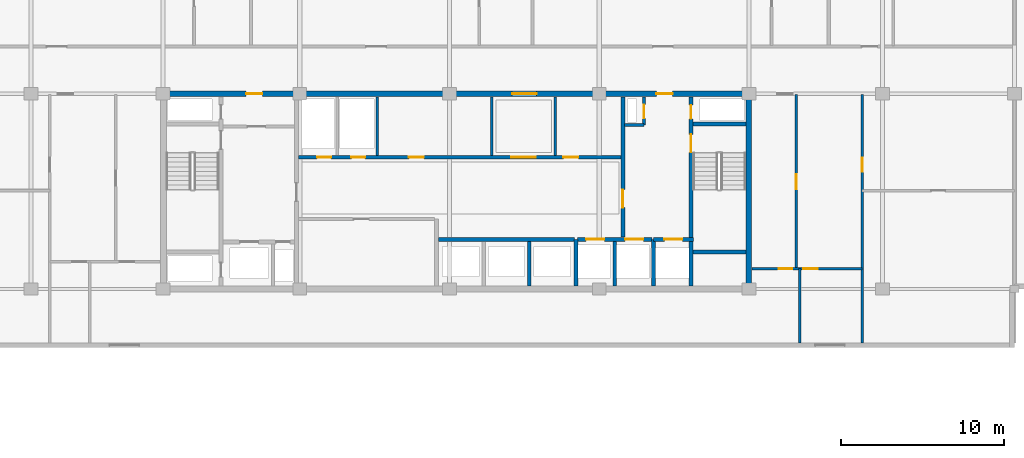
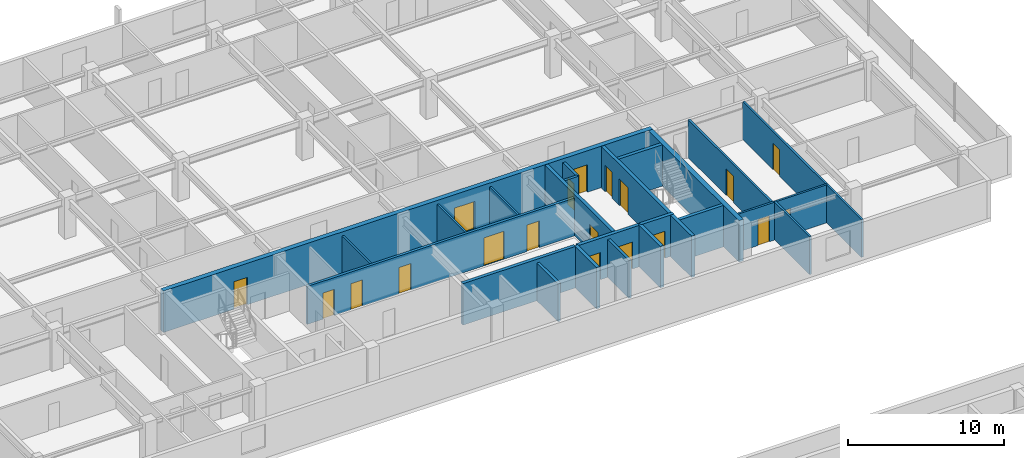
# One storey, part 23 of 32: 23 walls, 19 doors, 19 openings.
"""IFC4 building model written with IfcOpenShell, lengths in metres."""

from ifc_helpers import new_model, si_unit, direction, frame, frame_2d, origin, place, context, subcontext, project, spatial, rectangle, extrude, material, layer, layer_set, type_object, element, fill, save


model = new_model("IFC4")

# Units and contexts
model_context = context("Model", 3, precision=1e-05, world=origin(), true_north=direction((0.0, 1.0)))
body_context = subcontext(model_context, "Body", "Model", "MODEL_VIEW")
ifc_project = project(units=[si_unit("LENGTHUNIT", "METRE"), si_unit("AREAUNIT", "SQUARE_METRE"), si_unit("VOLUMEUNIT", "CUBIC_METRE"), si_unit("PLANEANGLEUNIT", "RADIAN"), si_unit("MASSUNIT", "GRAM", prefix="KILO")], contexts=[model_context])

# Site, building, storey
site_placement = place(None, origin())
site = spatial("IfcSite", under=ifc_project, at=site_placement, CompositionType="ELEMENT")
building_placement = place(site_placement, origin())
building = spatial("IfcBuilding", under=site, at=building_placement, Name="Korimba Cascade Residences", CompositionType="ELEMENT")
storey_placement = place(building_placement, frame((0.0, 0.0, 178.35009765625)))
storey = spatial("IfcBuildingStorey", under=building, at=storey_placement, Name="L51", CompositionType="ELEMENT", Elevation=178.35009765625)

# Wall
ifc_material_1 = material(Name="Concrete C65/80", Category="concrete")
ifc_layer_1 = layer(ifc_material_1, 0.35009765625)
ifc_layer_set_1 = layer_set([ifc_layer_1], Name="Concrete C65/80")
wall_type_1 = type_object("IfcWallType", Name="WAL-CORE-350", PredefinedType="SHEAR", material=ifc_layer_set_1)
wall_1_placement = place(storey_placement, frame((112.074951171875, 55.375, 0.0), z_axis=(0.0, 0.0, 1.0), x_axis=(0.0, 1.0, 0.0)))
element("IfcWall", 1, at=wall_1_placement, inside=storey, type_object=wall_type_1, Name="L51 Core Shear Wall CW-L51-T1-E", PredefinedType="SHEAR", context=body_context, shape_type="SweptSolid", body=[
    extrude(rectangle(XDim=11.64990234375, YDim=0.35009765625, at=frame_2d((5.824951171875, 0.0))), origin(), (0.0, 0.0, 1.0), 3.25),
])

# Wall, openings, doors
wall_2_placement = place(storey_placement, frame((75.949951171875, 67.199951171875, 0.0), z_axis=(0.0, 0.0, 1.0), x_axis=(1.0, 0.0, 0.0)))
wall_2 = element("IfcWall", 2, at=wall_2_placement, inside=storey, type_object=wall_type_1, Name="L51 Core Shear Wall CW-L51-T1-N", PredefinedType="SHEAR", context=body_context, shape_type="SweptSolid", body=[
    extrude(rectangle(XDim=36.300048828125, YDim=0.35009765625, at=frame_2d((18.14990234375, 0.0))), origin(), (0.0, 0.0, 1.0), 3.25),
])
opening_1_placement = place(wall_2_placement, frame((5.25, 0.0, 0.0)))
opening_1 = element("IfcOpeningElement", 3, at=opening_1_placement, cuts=wall_2, Name="Opening D-FD5", PredefinedType="OPENING", context=body_context, shape_type="SweptSolid", body=[
    extrude(rectangle(XDim=1.0, YDim=2.14990234375, at=frame_2d((0.5, 1.074951171875))), frame((0.0, 0.18505859375, 0.0), z_axis=(0.0, -1.0, 0.0), x_axis=(1.0, 0.0, 0.0)), (0.0, 0.0, 1.0), 0.3701171875),
])
opening_2_placement = place(wall_2_placement, frame((21.60009765625, 0.0, 0.0)))
opening_2 = element("IfcOpeningElement", 4, at=opening_2_placement, cuts=wall_2, Name="Opening D-FD8", PredefinedType="OPENING", context=body_context, shape_type="SweptSolid", body=[
    extrude(rectangle(XDim=1.5, YDim=2.199951171875, at=frame_2d((0.75, 1.10009765625))), frame((0.0, 0.18505859375, 0.0), z_axis=(0.0, -1.0, 0.0), x_axis=(1.0, 0.0, 0.0)), (0.0, 0.0, 1.0), 0.3701171875),
])
opening_3_placement = place(wall_2_placement, frame((30.449951171875, 0.0, 0.0)))
opening_3 = element("IfcOpeningElement", 5, at=opening_3_placement, cuts=wall_2, Name="Opening D-FD5", PredefinedType="OPENING", context=body_context, shape_type="SweptSolid", body=[
    extrude(rectangle(XDim=1.0, YDim=2.14990234375, at=frame_2d((0.5, 1.074951171875))), frame((0.0, 0.18505859375, 0.0), z_axis=(0.0, -1.0, 0.0), x_axis=(1.0, 0.0, 0.0)), (0.0, 0.0, 1.0), 0.3701171875),
])
ifc_material_2 = material(Name="Fire-Rated Acoustic Timber Vestibule Door", Category="wood")
door_type_1 = type_object("IfcDoorType", Name="DR-FD90-1000", OperationType="NOTDEFINED", PredefinedType="DOOR", material=ifc_material_2)
door_1_placement = place(opening_1_placement, origin())
door_1 = element("IfcDoor", 6, at=door_1_placement, inside=storey, type_object=door_type_1, Name="L51 T1 West Core Vestibule Fire Door", OperationType="SINGLE_SWING_RIGHT", OverallHeight=2.14990234375, OverallWidth=1.0, PredefinedType="DOOR", context=body_context, shape_type="SweptSolid", body=[
    extrude(rectangle(XDim=1.0, YDim=2.14990234375, at=frame_2d((0.5, 1.074951171875))), frame((0.0, 0.02490234375, 0.0), z_axis=(0.0, -1.0, 0.0), x_axis=(1.0, 0.0, 0.0)), (0.0, 0.0, 1.0), 0.050048828125),
])
fill(opening_1, door_1)
door_2_placement = place(opening_3_placement, origin())
door_2 = element("IfcDoor", 7, at=door_2_placement, inside=storey, type_object=door_type_1, Name="L51 T1 East Firefighting Vestibule Fire Door", OperationType="SINGLE_SWING_LEFT", OverallHeight=2.14990234375, OverallWidth=1.0, PredefinedType="DOOR", context=body_context, shape_type="SweptSolid", body=[
    extrude(rectangle(XDim=1.0, YDim=2.14990234375, at=frame_2d((0.5, 1.074951171875))), frame((0.0, 0.02490234375, 0.0), z_axis=(0.0, -1.0, 0.0), x_axis=(1.0, 0.0, 0.0)), (0.0, 0.0, 1.0), 0.050048828125),
])
fill(opening_3, door_2)
ifc_material_3 = material(Name="Fire-Rated Glazed Lift Lobby Double Door", Category="glass")
door_type_2 = type_object("IfcDoorType", Name="DR-FD90-1500", OperationType="NOTDEFINED", PredefinedType="DOOR", material=ifc_material_3)
door_3_placement = place(opening_2_placement, origin())
door_3 = element("IfcDoor", 8, at=door_3_placement, inside=storey, type_object=door_type_2, Name="L51 T1 Lift Lobby Fire Door", OperationType="DOUBLE_DOOR_SINGLE_SWING", OverallHeight=2.199951171875, OverallWidth=1.5, PredefinedType="DOOR", context=body_context, shape_type="SweptSolid", body=[
    extrude(rectangle(XDim=1.5, YDim=2.199951171875, at=frame_2d((0.75, 1.10009765625))), frame((0.0, 0.02490234375, 0.0), z_axis=(0.0, -1.0, 0.0), x_axis=(1.0, 0.0, 0.0)), (0.0, 0.0, 1.0), 0.050048828125),
])
fill(opening_2, door_3)

# Walls
ifc_material_4 = material(Name="Insulated Acoustic Stud Partition", Category="gypsum")
ifc_layer_2 = layer(ifc_material_4, 0.14990234375)
ifc_layer_set_2 = layer_set([ifc_layer_2], Name="Insulated Acoustic Stud Partition")
wall_type_2 = type_object("IfcWallType", Name="WAL-PART-150", PredefinedType="PARTITIONING", material=ifc_layer_set_2)
for number, where, z_axis, x_axis, name in (
    (9, (89.25, 63.39990234375, 0.0), (0.0, 0.0, 1.0), (0.0, 1.0, 0.0), "L51 Partition Wall CW-L51-T1-PRDIV"),
    (10, (96.300048828125, 63.39990234375, 0.0), (0.0, 0.0, 1.0), (0.0, 1.0, 0.0), "L51 Partition Wall CW-L51-T1-THW"),
    (11, (100.199951171875, 63.39990234375, 0.0), (0.0, 0.0, 1.0), (0.0, 1.0, 0.0), "L51 Partition Wall CW-L51-T1-THE"),
):
    element("IfcWall", number, at=place(storey_placement, frame(where, z_axis=z_axis, x_axis=x_axis)), inside=storey, type_object=wall_type_2, Name=name, PredefinedType="PARTITIONING", context=body_context, shape_type="SweptSolid", body=[
        extrude(rectangle(XDim=3.60009765625, YDim=0.14990234375, at=frame_2d((1.800048828125, 0.0))), origin(), (0.0, 0.0, 1.0), 2.969970703125),
    ])

# Wall, opening, door
wall_3_placement = place(storey_placement, frame((119.050048828125, 51.89990234375, 0.0), z_axis=(0.0, 0.0, 1.0), x_axis=(0.0, 1.0, 0.0)))
wall_3 = element("IfcWall", 12, at=wall_3_placement, inside=storey, type_object=wall_type_2, Name="L51 Partition Wall WAL-L51-T1-FE-STV", PredefinedType="PARTITIONING", context=body_context, shape_type="SweptSolid", body=[
    extrude(rectangle(XDim=15.25, YDim=0.14990234375, at=frame_2d((7.625, 0.0))), origin(), (0.0, 0.0, 1.0), 2.969970703125),
])
opening_4_placement = place(wall_3_placement, frame((10.5, 0.0, 0.0)))
opening_4 = element("IfcOpeningElement", 13, at=opening_4_placement, cuts=wall_3, Name="Opening D-IN2", PredefinedType="OPENING", context=body_context, shape_type="SweptSolid", body=[
    extrude(rectangle(XDim=0.8798828125, YDim=2.06005859375, at=frame_2d((0.43994140625, 1.030029296875))), frame((0.0, 0.0849609375, 0.0), z_axis=(0.0, -1.0, 0.0), x_axis=(1.0, 0.0, 0.0)), (0.0, 0.0, 1.0), 0.169921875),
])
ifc_material_5 = material(Name="Acoustic Timber Bedroom Door", Category="wood")
door_type_3 = type_object("IfcDoorType", Name="DR-INT-880", OperationType="NOTDEFINED", PredefinedType="DOOR", material=ifc_material_5)
door_4_placement = place(opening_4_placement, origin())
door_4 = element("IfcDoor", 14, at=door_4_placement, inside=storey, type_object=door_type_3, Name="L51-T1-FE Study Door", OperationType="SINGLE_SWING_RIGHT", OverallHeight=2.06005859375, OverallWidth=0.8798828125, PredefinedType="DOOR", context=body_context, shape_type="SweptSolid", body=[
    extrude(rectangle(XDim=0.8798828125, YDim=2.06005859375, at=frame_2d((0.43994140625, 1.030029296875))), frame((0.0, 0.02490234375, 0.0), z_axis=(0.0, -1.0, 0.0), x_axis=(1.0, 0.0, 0.0)), (0.0, 0.0, 1.0), 0.050048828125),
])
fill(opening_4, door_4)

wall_4_placement = place(storey_placement, frame((115.0, 56.449951171875, 0.0), z_axis=(0.0, 0.0, 1.0), x_axis=(0.0, 1.0, 0.0)))
wall_4 = element("IfcWall", 15, at=wall_4_placement, inside=storey, type_object=wall_type_2, Name="L51 Partition Wall WAL-L51-T1-FE-VN", PredefinedType="PARTITIONING", context=body_context, shape_type="SweptSolid", body=[
    extrude(rectangle(XDim=10.699951171875, YDim=0.14990234375, at=frame_2d((5.35009765625, 0.0))), origin(), (0.0, 0.0, 1.0), 2.969970703125),
])
opening_5_placement = place(wall_4_placement, frame((4.889892578125, 0.0, 0.0)))
opening_5 = element("IfcOpeningElement", 16, at=opening_5_placement, cuts=wall_4, Name="Opening D-IN1", PredefinedType="OPENING", context=body_context, shape_type="SweptSolid", body=[
    extrude(rectangle(XDim=0.919921875, YDim=2.080078125, at=frame_2d((0.4599609375, 1.0400390625))), frame((0.0, 0.0849609375, 0.0), z_axis=(0.0, -1.0, 0.0), x_axis=(1.0, 0.0, 0.0)), (0.0, 0.0, 1.0), 0.169921875),
])
ifc_material_6 = material(Name="Acoustic Timber Living Door", Category="wood")
door_type_4 = type_object("IfcDoorType", Name="DR-INT-920", OperationType="NOTDEFINED", PredefinedType="DOOR", material=ifc_material_6)
door_5_placement = place(opening_5_placement, origin())
door_5 = element("IfcDoor", 17, at=door_5_placement, inside=storey, type_object=door_type_4, Name="L51-T1-FE Living Door", OperationType="SINGLE_SWING_LEFT", OverallHeight=2.080078125, OverallWidth=0.919921875, PredefinedType="DOOR", context=body_context, shape_type="SweptSolid", body=[
    extrude(rectangle(XDim=0.919921875, YDim=2.080078125, at=frame_2d((0.4599609375, 1.0400390625))), frame((0.0, 0.02490234375, 0.0), z_axis=(0.0, -1.0, 0.0), x_axis=(1.0, 0.0, 0.0)), (0.0, 0.0, 1.0), 0.050048828125),
])
fill(opening_5, door_5)

# Wall
wall_5_placement = place(storey_placement, frame((115.199951171875, 51.89990234375, 0.0), z_axis=(0.0, 0.0, 1.0), x_axis=(0.0, 1.0, 0.0)))
element("IfcWall", 18, at=wall_5_placement, inside=storey, type_object=wall_type_2, Name="L51 Partition Wall WAL-L51-T1-FE-VS", PredefinedType="PARTITIONING", context=body_context, shape_type="SweptSolid", body=[
    extrude(rectangle(XDim=4.550048828125, YDim=0.14990234375, at=frame_2d((2.27490234375, 0.0))), origin(), (0.0, 0.0, 1.0), 2.969970703125),
])

# Wall, openings, doors
wall_6_placement = place(storey_placement, frame((112.27001953125, 56.449951171875, 0.0), z_axis=(0.0, 0.0, 1.0), x_axis=(1.0, 0.0, 0.0)))
wall_6 = element("IfcWall", 19, at=wall_6_placement, inside=storey, type_object=wall_type_2, Name="L51 Partition Wall WAL-L51-T1-FE-H", PredefinedType="PARTITIONING", context=body_context, shape_type="SweptSolid", body=[
    extrude(rectangle(XDim=6.760009765625, YDim=0.14990234375, at=frame_2d((3.3798828125, 0.0))), origin(), (0.0, 0.0, 1.0), 2.969970703125),
])
opening_6_placement = place(wall_6_placement, frame((1.6396484375, 0.0, 0.0)))
opening_6 = element("IfcOpeningElement", 20, at=opening_6_placement, cuts=wall_6, Name="Opening D-BT1", PredefinedType="OPENING", context=body_context, shape_type="SweptSolid", body=[
    extrude(rectangle(XDim=0.840087890625, YDim=2.0400390625, at=frame_2d((0.419921875, 1.02001953125))), frame((0.0, 0.0849609375, 0.0), z_axis=(0.0, -1.0, 0.0), x_axis=(1.0, 0.0, 0.0)), (0.0, 0.0, 1.0), 0.169921875),
])
opening_7_placement = place(wall_6_placement, frame((3.160400390625, 0.0, 0.0)))
opening_7 = element("IfcOpeningElement", 21, at=opening_7_placement, cuts=wall_6, Name="Opening D-IN2", PredefinedType="OPENING", context=body_context, shape_type="SweptSolid", body=[
    extrude(rectangle(XDim=0.8798828125, YDim=2.06005859375, at=frame_2d((0.43994140625, 1.030029296875))), frame((0.0, 0.0849609375, 0.0), z_axis=(0.0, -1.0, 0.0), x_axis=(1.0, 0.0, 0.0)), (0.0, 0.0, 1.0), 0.169921875),
])
ifc_material_7 = material(Name="Moisture-Resistant Bathroom Timber Door", Category="wood")
door_type_5 = type_object("IfcDoorType", Name="DR-INT-850", OperationType="NOTDEFINED", PredefinedType="DOOR", material=ifc_material_7)
door_6_placement = place(opening_6_placement, origin())
door_6 = element("IfcDoor", 22, at=door_6_placement, inside=storey, type_object=door_type_5, Name="L51-T1-FE Bathroom Door", OperationType="SINGLE_SWING_RIGHT", OverallHeight=2.0400390625, OverallWidth=0.840087890625, PredefinedType="DOOR", context=body_context, shape_type="SweptSolid", body=[
    extrude(rectangle(XDim=0.840087890625, YDim=2.0400390625, at=frame_2d((0.419921875, 1.02001953125))), frame((0.0, 0.02490234375, 0.0), z_axis=(0.0, -1.0, 0.0), x_axis=(1.0, 0.0, 0.0)), (0.0, 0.0, 1.0), 0.050048828125),
])
fill(opening_6, door_6)
door_7_placement = place(opening_7_placement, origin())
door_7 = element("IfcDoor", 23, at=door_7_placement, inside=storey, type_object=door_type_3, Name="L51-T1-FE Bedroom Door", OperationType="SINGLE_SWING_LEFT", OverallHeight=2.06005859375, OverallWidth=0.8798828125, PredefinedType="DOOR", context=body_context, shape_type="SweptSolid", body=[
    extrude(rectangle(XDim=0.8798828125, YDim=2.06005859375, at=frame_2d((0.43994140625, 1.030029296875))), frame((0.0, 0.02490234375, 0.0), z_axis=(0.0, -1.0, 0.0), x_axis=(1.0, 0.0, 0.0)), (0.0, 0.0, 1.0), 0.050048828125),
])
fill(opening_7, door_7)

# Walls
ifc_material_8 = material(Name="Concrete C40/50", Category="concrete")
ifc_layer_3 = layer(ifc_material_8, 0.199951171875)
ifc_layer_set_3 = layer_set([ifc_layer_3], Name="Concrete C40/50")
wall_type_3 = type_object("IfcWallType", Name="WAL-PART-200", PredefinedType="PARTITIONING", material=ifc_layer_set_3)
for number, where, z_axis, x_axis, name in (
    (24, (98.60009765625, 55.39990234375, 0.0), (0.0, 0.0, 1.0), (0.0, 1.0, 0.0), "L51 Partition Wall CW-L51-T1-B2D2"),
    (25, (103.85009765625, 55.39990234375, 0.0), (0.0, 0.0, 1.0), (0.0, 1.0, 0.0), "L51 Partition Wall CW-L51-T1-B3D1"),
):
    element("IfcWall", number, at=place(storey_placement, frame(where, z_axis=z_axis, x_axis=x_axis)), inside=storey, type_object=wall_type_3, Name=name, PredefinedType="PARTITIONING", context=body_context, shape_type="SweptSolid", body=[
        extrude(rectangle(XDim=2.72021484375, YDim=0.199951171875, at=frame_2d((1.360107421875, 0.0))), origin(), (0.0, 0.0, 1.0), 2.969970703125),
    ])

# Wall, openings, doors
wall_7_placement = place(storey_placement, frame((84.419921875, 63.300048828125, 0.0), z_axis=(0.0, 0.0, 1.0), x_axis=(1.0, 0.0, 0.0)))
wall_7 = element("IfcWall", 26, at=wall_7_placement, inside=storey, type_object=wall_type_3, Name="L51 Partition Wall CW-L51-T1-SRVROW", PredefinedType="PARTITIONING", context=body_context, shape_type="SweptSolid", body=[
    extrude(rectangle(XDim=19.830078125, YDim=0.199951171875, at=frame_2d((9.9150390625, 0.0))), origin(), (0.0, 0.0, 1.0), 2.969970703125),
])
opening_8_placement = place(wall_7_placement, frame((1.14990234375, 0.0, 0.0)))
opening_8 = element("IfcOpeningElement", 27, at=opening_8_placement, cuts=wall_7, Name="Opening D-RS1", PredefinedType="OPENING", context=body_context, shape_type="SweptSolid", body=[
    extrude(rectangle(XDim=0.85009765625, YDim=2.050048828125, at=frame_2d((0.425048828125, 1.02490234375))), frame((0.0, 0.10986328125, 0.0), z_axis=(0.0, -1.0, 0.0), x_axis=(1.0, 0.0, 0.0)), (0.0, 0.0, 1.0), 0.219970703125),
])
opening_9_placement = place(wall_7_placement, frame((3.25, 0.0, 0.0)))
opening_9 = element("IfcOpeningElement", 28, at=opening_9_placement, cuts=wall_7, Name="Opening D-RS1", PredefinedType="OPENING", context=body_context, shape_type="SweptSolid", body=[
    extrude(rectangle(XDim=0.85009765625, YDim=2.050048828125, at=frame_2d((0.425048828125, 1.02490234375))), frame((0.0, 0.10986328125, 0.0), z_axis=(0.0, -1.0, 0.0), x_axis=(1.0, 0.0, 0.0)), (0.0, 0.0, 1.0), 0.219970703125),
])
opening_10_placement = place(wall_7_placement, frame((13.080078125, 0.0, 0.0)))
opening_10 = element("IfcOpeningElement", 29, at=opening_10_placement, cuts=wall_7, Name="Opening D-FD8", PredefinedType="OPENING", context=body_context, shape_type="SweptSolid", body=[
    extrude(rectangle(XDim=1.5, YDim=2.199951171875, at=frame_2d((0.75, 1.10009765625))), frame((0.0, 0.10986328125, 0.0), z_axis=(0.0, -1.0, 0.0), x_axis=(1.0, 0.0, 0.0)), (0.0, 0.0, 1.0), 0.219970703125),
])
opening_11_placement = place(wall_7_placement, frame((6.780029296875, 0.0, 0.0)))
opening_11 = element("IfcOpeningElement", 30, at=opening_11_placement, cuts=wall_7, Name="Opening D-IN1", PredefinedType="OPENING", context=body_context, shape_type="SweptSolid", body=[
    extrude(rectangle(XDim=0.919921875, YDim=2.080078125, at=frame_2d((0.4599609375, 1.0400390625))), frame((0.0, 0.10986328125, 0.0), z_axis=(0.0, -1.0, 0.0), x_axis=(1.0, 0.0, 0.0)), (0.0, 0.0, 1.0), 0.219970703125),
])
opening_12_placement = place(wall_7_placement, frame((16.280029296875, 0.0, 0.0)))
opening_12 = element("IfcOpeningElement", 31, at=opening_12_placement, cuts=wall_7, Name="Opening D-IN1", PredefinedType="OPENING", context=body_context, shape_type="SweptSolid", body=[
    extrude(rectangle(XDim=0.919921875, YDim=2.080078125, at=frame_2d((0.4599609375, 1.0400390625))), frame((0.0, 0.10986328125, 0.0), z_axis=(0.0, -1.0, 0.0), x_axis=(1.0, 0.0, 0.0)), (0.0, 0.0, 1.0), 0.219970703125),
])
ifc_material_9 = material(Name="Fire-Rated Steel Riser Access Door", Category="steel")
door_type_6 = type_object("IfcDoorType", Name="DR-FD60-850", OperationType="NOTDEFINED", PredefinedType="DOOR", material=ifc_material_9)
door_8_placement = place(opening_8_placement, origin())
door_8 = element("IfcDoor", 32, at=door_8_placement, inside=storey, type_object=door_type_6, Name="L51 Electrical Riser Door", OperationType="SINGLE_SWING_LEFT", OverallHeight=2.050048828125, OverallWidth=0.85009765625, PredefinedType="DOOR", context=body_context, shape_type="SweptSolid", body=[
    extrude(rectangle(XDim=0.85009765625, YDim=2.050048828125, at=frame_2d((0.425048828125, 1.02490234375))), frame((0.0, 0.02490234375, 0.0), z_axis=(0.0, -1.0, 0.0), x_axis=(1.0, 0.0, 0.0)), (0.0, 0.0, 1.0), 0.050048828125),
])
fill(opening_8, door_8)
door_9_placement = place(opening_9_placement, origin())
door_9 = element("IfcDoor", 33, at=door_9_placement, inside=storey, type_object=door_type_6, Name="L51 Plumbing Riser Door", OperationType="SINGLE_SWING_RIGHT", OverallHeight=2.050048828125, OverallWidth=0.85009765625, PredefinedType="DOOR", context=body_context, shape_type="SweptSolid", body=[
    extrude(rectangle(XDim=0.85009765625, YDim=2.050048828125, at=frame_2d((0.425048828125, 1.02490234375))), frame((0.0, 0.02490234375, 0.0), z_axis=(0.0, -1.0, 0.0), x_axis=(1.0, 0.0, 0.0)), (0.0, 0.0, 1.0), 0.050048828125),
])
fill(opening_9, door_9)
door_10_placement = place(opening_10_placement, origin())
door_10 = element("IfcDoor", 34, at=door_10_placement, inside=storey, type_object=door_type_2, Name="L51 Lift Lobby Foyer Archway Door", OperationType="DOUBLE_DOOR_SINGLE_SWING", OverallHeight=2.199951171875, OverallWidth=1.5, PredefinedType="DOOR", context=body_context, shape_type="SweptSolid", body=[
    extrude(rectangle(XDim=1.5, YDim=2.199951171875, at=frame_2d((0.75, 1.10009765625))), frame((0.0, 0.02490234375, 0.0), z_axis=(0.0, -1.0, 0.0), x_axis=(1.0, 0.0, 0.0)), (0.0, 0.0, 1.0), 0.050048828125),
])
fill(opening_10, door_10)
door_11_placement = place(opening_11_placement, origin())
door_11 = element("IfcDoor", 35, at=door_11_placement, inside=storey, type_object=door_type_4, Name="L51 Housekeeping Door", OperationType="SINGLE_SWING_LEFT", OverallHeight=2.080078125, OverallWidth=0.919921875, PredefinedType="DOOR", context=body_context, shape_type="SweptSolid", body=[
    extrude(rectangle(XDim=0.919921875, YDim=2.080078125, at=frame_2d((0.4599609375, 1.0400390625))), frame((0.0, 0.02490234375, 0.0), z_axis=(0.0, -1.0, 0.0), x_axis=(1.0, 0.0, 0.0)), (0.0, 0.0, 1.0), 0.050048828125),
])
fill(opening_11, door_11)
door_12_placement = place(opening_12_placement, origin())
door_12 = element("IfcDoor", 36, at=door_12_placement, inside=storey, type_object=door_type_4, Name="L51 Store Door", OperationType="SINGLE_SWING_RIGHT", OverallHeight=2.080078125, OverallWidth=0.919921875, PredefinedType="DOOR", context=body_context, shape_type="SweptSolid", body=[
    extrude(rectangle(XDim=0.919921875, YDim=2.080078125, at=frame_2d((0.4599609375, 1.0400390625))), frame((0.0, 0.02490234375, 0.0), z_axis=(0.0, -1.0, 0.0), x_axis=(1.0, 0.0, 0.0)), (0.0, 0.0, 1.0), 0.050048828125),
])
fill(opening_12, door_12)

# Wall
wall_8_placement = place(storey_placement, frame((104.449951171875, 65.280029296875, 0.0), z_axis=(0.0, 0.0, 1.0), x_axis=(1.0, 0.0, 0.0)))
element("IfcWall", 37, at=wall_8_placement, inside=storey, type_object=wall_type_3, Name="L51 Partition Wall CW-L51-T1-HYDW2S", PredefinedType="PARTITIONING", context=body_context, shape_type="SweptSolid", body=[
    extrude(rectangle(XDim=1.199951171875, YDim=0.199951171875, at=frame_2d((0.60009765625, 0.0))), origin(), (0.0, 0.0, 1.0), 2.969970703125),
])

# Wall, opening, door
wall_9_placement = place(storey_placement, frame((105.64990234375, 65.280029296875, 0.0), z_axis=(0.0, 0.0, 1.0), x_axis=(0.0, 1.0, 0.0)))
wall_9 = element("IfcWall", 38, at=wall_9_placement, inside=storey, type_object=wall_type_3, Name="L51 Partition Wall CW-L51-T1-HYDW2E", PredefinedType="PARTITIONING", context=body_context, shape_type="SweptSolid", body=[
    extrude(rectangle(XDim=1.719970703125, YDim=0.199951171875, at=frame_2d((0.85986328125, 0.0))), origin(), (0.0, 0.0, 1.0), 2.969970703125),
])
opening_13_placement = place(wall_9_placement, frame((0.39990234375, 0.0, 0.0)))
opening_13 = element("IfcOpeningElement", 39, at=opening_13_placement, cuts=wall_9, Name="Opening D-RS1", PredefinedType="OPENING", context=body_context, shape_type="SweptSolid", body=[
    extrude(rectangle(XDim=0.85009765625, YDim=2.050048828125, at=frame_2d((0.425048828125, 1.02490234375))), frame((0.0, 0.10986328125, 0.0), z_axis=(0.0, -1.0, 0.0), x_axis=(1.0, 0.0, 0.0)), (0.0, 0.0, 1.0), 0.219970703125),
])
door_13_placement = place(opening_13_placement, origin())
door_13 = element("IfcDoor", 40, at=door_13_placement, inside=storey, type_object=door_type_6, Name="L51 East Hydrant Door", OperationType="SINGLE_SWING_LEFT", OverallHeight=2.050048828125, OverallWidth=0.85009765625, PredefinedType="DOOR", context=body_context, shape_type="SweptSolid", body=[
    extrude(rectangle(XDim=0.85009765625, YDim=2.050048828125, at=frame_2d((0.425048828125, 1.02490234375))), frame((0.0, 0.02490234375, 0.0), z_axis=(0.0, -1.0, 0.0), x_axis=(1.0, 0.0, 0.0)), (0.0, 0.0, 1.0), 0.050048828125),
])
fill(opening_13, door_13)

# Walls
ifc_material_10 = material(Name="Concrete C50/60", Category="concrete")
ifc_layer_4 = layer(ifc_material_10, 0.25)
ifc_layer_set_4 = layer_set([ifc_layer_4], Name="Concrete C50/60")
wall_type_4 = type_object("IfcWallType", Name="WAL-SHAFT-250", PredefinedType="SHEAR", material=ifc_layer_set_4)
wall_10_placement = place(storey_placement, frame((93.02001953125, 58.25, 0.0), z_axis=(0.0, 0.0, 1.0), x_axis=(1.0, 0.0, 0.0)))
element("IfcWall", 41, at=wall_10_placement, inside=storey, type_object=wall_type_4, Name="L51 Core Shear Wall CW-L51-T1-B2N", PredefinedType="SHEAR", context=body_context, shape_type="SweptSolid", body=[
    extrude(rectangle(XDim=8.35986328125, YDim=0.25, at=frame_2d((4.179931640625, 0.0))), origin(), (0.0, 0.0, 1.0), 3.25),
])
wall_11_placement = place(storey_placement, frame((101.47998046875, 55.39990234375, 0.0), z_axis=(0.0, 0.0, 1.0), x_axis=(0.0, 1.0, 0.0)))
element("IfcWall", 42, at=wall_11_placement, inside=storey, type_object=wall_type_4, Name="L51 Core Shear Wall CW-L51-T1-B23DIV", PredefinedType="SHEAR", context=body_context, shape_type="SweptSolid", body=[
    extrude(rectangle(XDim=2.85009765625, YDim=0.25, at=frame_2d((1.425048828125, 0.0))), origin(), (0.0, 0.0, 1.0), 3.25),
])

# Wall, openings, doors
wall_12_placement = place(storey_placement, frame((101.550048828125, 58.25, 0.0), z_axis=(0.0, 0.0, 1.0), x_axis=(1.0, 0.0, 0.0)))
wall_12 = element("IfcWall", 43, at=wall_12_placement, inside=storey, type_object=wall_type_4, Name="L51 Core Shear Wall CW-L51-T1-B3N", PredefinedType="SHEAR", context=body_context, shape_type="SweptSolid", body=[
    extrude(rectangle(XDim=4.599853515625, YDim=0.25, at=frame_2d((2.2998046875, 0.0))), origin(), (0.0, 0.0, 1.0), 3.25),
])
opening_14_placement = place(wall_12_placement, frame((0.5400390625, 0.0, 0.0)))
opening_14 = element("IfcOpeningElement", 44, at=opening_14_placement, cuts=wall_12, Name="Opening LD-01", PredefinedType="OPENING", context=body_context, shape_type="SweptSolid", body=[
    extrude(rectangle(XDim=1.1201171875, YDim=2.1201171875, at=frame_2d((0.56005859375, 1.06005859375))), frame((0.0, 0.135009765625, 0.0), z_axis=(0.0, -1.0, 0.0), x_axis=(1.0, 0.0, 0.0)), (0.0, 0.0, 1.0), 0.27001953125),
])
opening_15_placement = place(wall_12_placement, frame((2.93994140625, 0.0, 0.0)))
opening_15 = element("IfcOpeningElement", 45, at=opening_15_placement, cuts=wall_12, Name="Opening LD-01", PredefinedType="OPENING", context=body_context, shape_type="SweptSolid", body=[
    extrude(rectangle(XDim=1.1201171875, YDim=2.1201171875, at=frame_2d((0.56005859375, 1.06005859375))), frame((0.0, 0.135009765625, 0.0), z_axis=(0.0, -1.0, 0.0), x_axis=(1.0, 0.0, 0.0)), (0.0, 0.0, 1.0), 0.27001953125),
])
ifc_material_11 = material(Name="Stainless Steel Lift Landing Sliding Door", Category="steel")
door_type_7 = type_object("IfcDoorType", Name="DR-LIFT-1100", OperationType="NOTDEFINED", PredefinedType="DOOR", material=ifc_material_11)
door_14_placement = place(opening_14_placement, origin())
door_14 = element("IfcDoor", 46, at=door_14_placement, inside=storey, type_object=door_type_7, Name="L51 Lift Landing Door PL-W7", OperationType="SLIDING_TO_LEFT", OverallHeight=2.1201171875, OverallWidth=1.1201171875, PredefinedType="DOOR", context=body_context, shape_type="SweptSolid", body=[
    extrude(rectangle(XDim=1.1201171875, YDim=2.1201171875, at=frame_2d((0.56005859375, 1.06005859375))), frame((0.0, 0.02490234375, 0.0), z_axis=(0.0, -1.0, 0.0), x_axis=(1.0, 0.0, 0.0)), (0.0, 0.0, 1.0), 0.050048828125),
])
fill(opening_14, door_14)
door_15_placement = place(opening_15_placement, origin())
door_15 = element("IfcDoor", 47, at=door_15_placement, inside=storey, type_object=door_type_7, Name="L51 Lift Landing Door PL-W8", OperationType="SLIDING_TO_LEFT", OverallHeight=2.1201171875, OverallWidth=1.1201171875, PredefinedType="DOOR", context=body_context, shape_type="SweptSolid", body=[
    extrude(rectangle(XDim=1.1201171875, YDim=2.1201171875, at=frame_2d((0.56005859375, 1.06005859375))), frame((0.0, 0.02490234375, 0.0), z_axis=(0.0, -1.0, 0.0), x_axis=(1.0, 0.0, 0.0)), (0.0, 0.0, 1.0), 0.050048828125),
])
fill(opening_15, door_15)

# Wall
wall_13_placement = place(storey_placement, frame((106.219970703125, 55.39990234375, 0.0), z_axis=(0.0, 0.0, 1.0), x_axis=(0.0, 1.0, 0.0)))
element("IfcWall", 48, at=wall_13_placement, inside=storey, type_object=wall_type_4, Name="L51 Core Shear Wall CW-L51-T1-FF2W", PredefinedType="SHEAR", context=body_context, shape_type="SweptSolid", body=[
    extrude(rectangle(XDim=2.85009765625, YDim=0.25, at=frame_2d((1.425048828125, 0.0))), origin(), (0.0, 0.0, 1.0), 3.25),
])

# Wall, opening, door
wall_14_placement = place(storey_placement, frame((106.219970703125, 58.25, 0.0), z_axis=(0.0, 0.0, 1.0), x_axis=(1.0, 0.0, 0.0)))
wall_14 = element("IfcWall", 49, at=wall_14_placement, inside=storey, type_object=wall_type_4, Name="L51 Core Shear Wall CW-L51-T1-FF2N", PredefinedType="SHEAR", context=body_context, shape_type="SweptSolid", body=[
    extrude(rectangle(XDim=2.4599609375, YDim=0.25, at=frame_2d((1.22998046875, 0.0))), origin(), (0.0, 0.0, 1.0), 3.25),
])
opening_16_placement = place(wall_14_placement, frame((0.669921875, 0.0, 0.0)))
opening_16 = element("IfcOpeningElement", 50, at=opening_16_placement, cuts=wall_14, Name="Opening LD-01", PredefinedType="OPENING", context=body_context, shape_type="SweptSolid", body=[
    extrude(rectangle(XDim=1.1201171875, YDim=2.1201171875, at=frame_2d((0.56005859375, 1.06005859375))), frame((0.0, 0.135009765625, 0.0), z_axis=(0.0, -1.0, 0.0), x_axis=(1.0, 0.0, 0.0)), (0.0, 0.0, 1.0), 0.27001953125),
])
door_16_placement = place(opening_16_placement, origin())
door_16 = element("IfcDoor", 51, at=door_16_placement, inside=storey, type_object=door_type_7, Name="L51 Firefighting Lift Landing Door FFL-W2", OperationType="SLIDING_TO_RIGHT", OverallHeight=2.1201171875, OverallWidth=1.1201171875, PredefinedType="DOOR", context=body_context, shape_type="SweptSolid", body=[
    extrude(rectangle(XDim=1.1201171875, YDim=2.1201171875, at=frame_2d((0.56005859375, 1.06005859375))), frame((0.0, 0.02490234375, 0.0), z_axis=(0.0, -1.0, 0.0), x_axis=(1.0, 0.0, 0.0)), (0.0, 0.0, 1.0), 0.050048828125),
])
fill(opening_16, door_16)

wall_15_placement = place(storey_placement, frame((104.35009765625, 58.39990234375, 0.0), z_axis=(0.0, 0.0, 1.0), x_axis=(0.0, 1.0, 0.0)))
wall_15 = element("IfcWall", 52, at=wall_15_placement, inside=storey, type_object=wall_type_4, Name="L51 Core Shear Wall CW-L51-T1-LLEV", PredefinedType="SHEAR", context=body_context, shape_type="SweptSolid", body=[
    extrude(rectangle(XDim=8.60009765625, YDim=0.25, at=frame_2d((4.300048828125, 0.0))), origin(), (0.0, 0.0, 1.0), 3.25),
])
opening_17_placement = place(wall_15_placement, frame((1.800048828125, 0.0, 0.0)))
opening_17 = element("IfcOpeningElement", 53, at=opening_17_placement, cuts=wall_15, Name="Opening D-FD1", PredefinedType="OPENING", context=body_context, shape_type="SweptSolid", body=[
    extrude(rectangle(XDim=1.10009765625, YDim=2.10009765625, at=frame_2d((0.550048828125, 1.050048828125))), frame((0.0, 0.135009765625, 0.0), z_axis=(0.0, -1.0, 0.0), x_axis=(1.0, 0.0, 0.0)), (0.0, 0.0, 1.0), 0.27001953125),
])
ifc_material_12 = material(Name="Fire-Rated Steel Core Door", Category="steel")
door_type_8 = type_object("IfcDoorType", Name="DR-FD120-1100", OperationType="NOTDEFINED", PredefinedType="DOOR", material=ifc_material_12)
door_17_placement = place(opening_17_placement, origin())
door_17 = element("IfcDoor", 54, at=door_17_placement, inside=storey, type_object=door_type_8, Name="L51 Lift Lobby to East Firefighting Lobby Door", OperationType="SINGLE_SWING_RIGHT", OverallHeight=2.10009765625, OverallWidth=1.10009765625, PredefinedType="DOOR", context=body_context, shape_type="SweptSolid", body=[
    extrude(rectangle(XDim=1.10009765625, YDim=2.10009765625, at=frame_2d((0.550048828125, 1.050048828125))), frame((0.0, 0.02490234375, 0.0), z_axis=(0.0, -1.0, 0.0), x_axis=(1.0, 0.0, 0.0)), (0.0, 0.0, 1.0), 0.050048828125),
])
fill(opening_17, door_17)

# Wall, openings, doors
wall_16_placement = place(storey_placement, frame((108.534912109375, 55.39990234375, 0.0), z_axis=(0.0, 0.0, 1.0), x_axis=(0.0, 1.0, 0.0)))
wall_16 = element("IfcWall", 55, at=wall_16_placement, inside=storey, type_object=wall_type_4, Name="L51 Core Shear Wall CW-L51-T1-STW2W", PredefinedType="SHEAR", context=body_context, shape_type="SweptSolid", body=[
    extrude(rectangle(XDim=11.60009765625, YDim=0.25, at=frame_2d((5.800048828125, 0.0))), origin(), (0.0, 0.0, 1.0), 3.25),
])
opening_18_placement = place(wall_16_placement, frame((8.199951171875, 0.0, 0.0)))
opening_18 = element("IfcOpeningElement", 56, at=opening_18_placement, cuts=wall_16, Name="Opening D-FD1", PredefinedType="OPENING", context=body_context, shape_type="SweptSolid", body=[
    extrude(rectangle(XDim=1.10009765625, YDim=2.10009765625, at=frame_2d((0.550048828125, 1.050048828125))), frame((0.0, 0.135009765625, 0.0), z_axis=(0.0, -1.0, 0.0), x_axis=(1.0, 0.0, 0.0)), (0.0, 0.0, 1.0), 0.27001953125),
])
opening_19_placement = place(wall_16_placement, frame((10.25, 0.0, 0.0)))
opening_19 = element("IfcOpeningElement", 57, at=opening_19_placement, cuts=wall_16, Name="Opening D-RS1", PredefinedType="OPENING", context=body_context, shape_type="SweptSolid", body=[
    extrude(rectangle(XDim=0.85009765625, YDim=2.050048828125, at=frame_2d((0.425048828125, 1.02490234375))), frame((0.0, 0.135009765625, 0.0), z_axis=(0.0, -1.0, 0.0), x_axis=(1.0, 0.0, 0.0)), (0.0, 0.0, 1.0), 0.27001953125),
])
door_18_placement = place(opening_18_placement, origin())
door_18 = element("IfcDoor", 58, at=door_18_placement, inside=storey, type_object=door_type_8, Name="L51 Fire Stair ST-W2 Door", OperationType="SINGLE_SWING_LEFT", OverallHeight=2.10009765625, OverallWidth=1.10009765625, PredefinedType="DOOR", context=body_context, shape_type="SweptSolid", body=[
    extrude(rectangle(XDim=1.10009765625, YDim=2.10009765625, at=frame_2d((0.550048828125, 1.050048828125))), frame((0.0, 0.02490234375, 0.0), z_axis=(0.0, -1.0, 0.0), x_axis=(1.0, 0.0, 0.0)), (0.0, 0.0, 1.0), 0.050048828125),
])
fill(opening_18, door_18)
door_19_placement = place(opening_19_placement, origin())
door_19 = element("IfcDoor", 59, at=door_19_placement, inside=storey, type_object=door_type_6, Name="L51 East Riser Door", OperationType="SINGLE_SWING_RIGHT", OverallHeight=2.050048828125, OverallWidth=0.85009765625, PredefinedType="DOOR", context=body_context, shape_type="SweptSolid", body=[
    extrude(rectangle(XDim=0.85009765625, YDim=2.050048828125, at=frame_2d((0.425048828125, 1.02490234375))), frame((0.0, 0.02490234375, 0.0), z_axis=(0.0, -1.0, 0.0), x_axis=(1.0, 0.0, 0.0)), (0.0, 0.0, 1.0), 0.050048828125),
])
fill(opening_19, door_19)

# Walls
for number, where, z_axis, x_axis, name in (
    (60, (108.659912109375, 57.47509765625, 0.0), (0.0, 0.0, 1.0), (1.0, 0.0, 0.0), "L51 Core Shear Wall CW-L51-T1-STW2S"),
    (61, (108.659912109375, 65.324951171875, 0.0), (0.0, 0.0, 1.0), (1.0, 0.0, 0.0), "L51 Core Shear Wall CW-L51-T1-STW2N"),
):
    element("IfcWall", number, at=place(storey_placement, frame(where, z_axis=z_axis, x_axis=x_axis)), inside=storey, type_object=wall_type_4, Name=name, PredefinedType="SHEAR", context=body_context, shape_type="SweptSolid", body=[
        extrude(rectangle(XDim=3.239990234375, YDim=0.25, at=frame_2d((1.6201171875, 0.0))), origin(), (0.0, 0.0, 1.0), 3.25),
    ])

save(model, "model.ifc")
